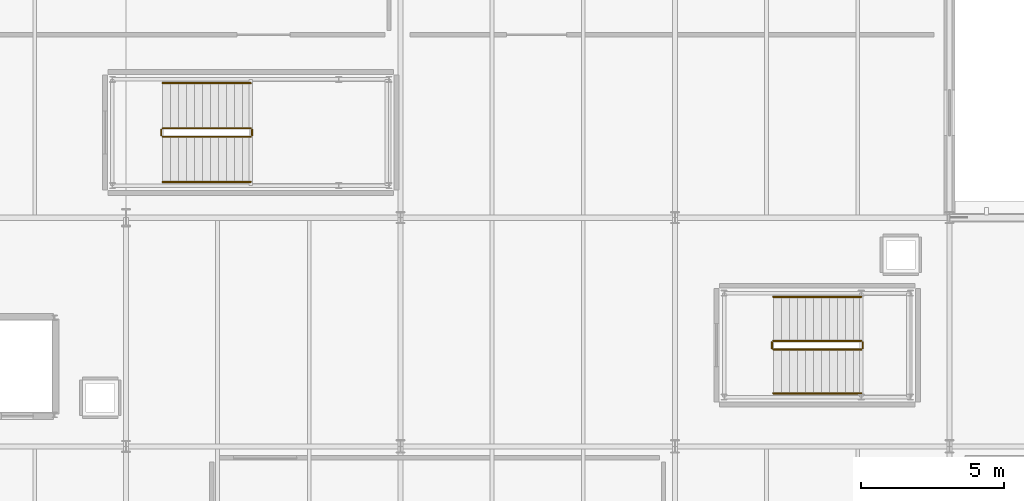
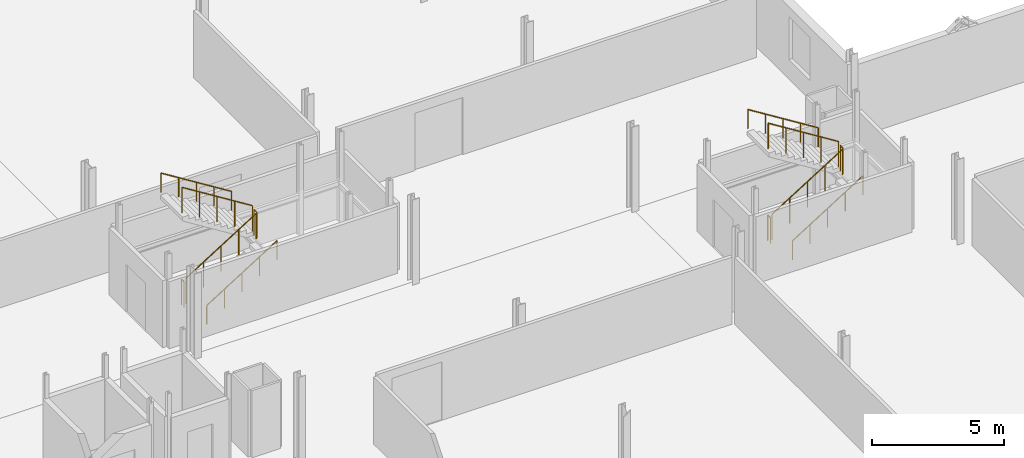
# One storey, part 82 of 85: 12 railings.
"""IFC4 building model written with IfcOpenShell, lengths in metres."""

from ifc_helpers import new_model, si_unit, direction, frame, origin, origin_2d, place, context, subcontext, project, spatial, circle, extrude, material, type_object, element, save


model = new_model("IFC4")

# Units and contexts
model_context = context("Model", 3, precision=1e-05, world=origin(), true_north=direction((0.0, 1.0)))
body_context = subcontext(model_context, "Body", "Model", "MODEL_VIEW")
ifc_project = project(units=[si_unit("LENGTHUNIT", "METRE"), si_unit("AREAUNIT", "SQUARE_METRE"), si_unit("VOLUMEUNIT", "CUBIC_METRE"), si_unit("PLANEANGLEUNIT", "RADIAN"), si_unit("MASSUNIT", "GRAM", prefix="KILO")], contexts=[model_context])

# Site, building, storey
site_placement = place(None, origin())
site = spatial("IfcSite", under=ifc_project, at=site_placement, CompositionType="ELEMENT")
building_placement = place(site_placement, origin())
building = spatial("IfcBuilding", under=site, at=building_placement, Name="Alderhovde Museum", CompositionType="ELEMENT")
storey_placement = place(building_placement, frame((0.0, 0.0, 8.699951171875)))
storey = spatial("IfcBuildingStorey", under=building, at=storey_placement, Name="L02", CompositionType="ELEMENT", Elevation=8.699951171875)

# Railings
ifc_material_1 = material(Name="Painted Steel S355 Guardrail", Category="steel")
railing_type_1 = type_object("IfcRailingType", Name="RL-GUARD-1200", PredefinedType="GUARDRAIL", material=ifc_material_1)
railing_1_placement = place(storey_placement, frame((30.080078125, 82.830078125, 0.175048828125)))
element("IfcRailing", 1, at=railing_1_placement, inside=storey, type_object=railing_type_1, Name="L02 ST2 stair guard 1", PredefinedType="GUARDRAIL", context=body_context, shape_type="SweptSolid", body=[
    extrude(circle(Radius=0.02392578125, at=origin_2d()), frame((0.0, 0.0, 1.17578125), z_axis=(0.847979421464, 0.0, 0.530029150871), x_axis=(0.0, 1.0, 0.0)), (0.0, 0.0, 1.0), 3.632080078125),
    extrude(circle(Radius=0.02099609375, at=origin_2d()), origin(), (0.0, 0.0, 1.0), 1.15185546875),
    extrude(circle(Radius=0.02099609375, at=origin_2d()), frame((0.77001953125, 0.0, 0.481201171875)), (0.0, 0.0, 1.0), 1.15185546875),
    extrude(circle(Radius=0.02099609375, at=origin_2d()), frame((1.5400390625, 0.0, 0.96240234375)), (0.0, 0.0, 1.0), 1.15185546875),
    extrude(circle(Radius=0.02099609375, at=origin_2d()), frame((2.309814453125, 0.0, 1.44384765625)), (0.0, 0.0, 1.0), 1.15185546875),
    extrude(circle(Radius=0.02099609375, at=origin_2d()), frame((3.079833984375, 0.0, 1.925048828125)), (0.0, 0.0, 1.0), 1.15185546875),
])
railing_2_placement = place(storey_placement, frame((33.2099609375, 82.8798828125, 2.10009765625)))
element("IfcRailing", 2, at=railing_2_placement, inside=storey, type_object=railing_type_1, Name="L02 ST2 stair guard 2", PredefinedType="GUARDRAIL", context=body_context, shape_type="SweptSolid", body=[
    extrude(circle(Radius=0.02392578125, at=origin_2d()), frame((0.0, 0.0, 1.17578125), z_axis=(0.0, 1.0, 0.0), x_axis=(-1.0, 0.0, 0.0)), (0.0, 0.0, 1.0), 0.2001953125),
    extrude(circle(Radius=0.02099609375, at=origin_2d()), origin(), (0.0, 0.0, 1.0), 1.15185546875),
    extrude(circle(Radius=0.02099609375, at=origin_2d()), frame((0.0, 0.2001953125, 0.0)), (0.0, 0.0, 1.0), 1.15185546875),
])
railing_3_placement = place(storey_placement, frame((33.159912109375, 83.1298828125, 2.275146484375)))
element("IfcRailing", 3, at=railing_3_placement, inside=storey, type_object=railing_type_1, Name="L02 ST2 stair guard 3", PredefinedType="GUARDRAIL", context=body_context, shape_type="SweptSolid", body=[
    extrude(circle(Radius=0.02392578125, at=origin_2d()), frame((0.0, 0.0, 1.17578125), z_axis=(-0.848009633417, 0.0, 0.529980812513), x_axis=(0.0, -1.0, 0.0)), (0.0, 0.0, 1.0), 3.6318359375),
    extrude(circle(Radius=0.02099609375, at=origin_2d()), origin(), (0.0, 0.0, 1.0), 1.15185546875),
    extrude(circle(Radius=0.02099609375, at=origin_2d()), frame((-0.77001953125, 0.0, 0.481201171875)), (0.0, 0.0, 1.0), 1.15185546875),
    extrude(circle(Radius=0.02099609375, at=origin_2d()), frame((-1.5400390625, 0.0, 0.96240234375)), (0.0, 0.0, 1.0), 1.15185546875),
    extrude(circle(Radius=0.02099609375, at=origin_2d()), frame((-2.309814453125, 0.0, 1.443603515625)), (0.0, 0.0, 1.0), 1.15185546875),
    extrude(circle(Radius=0.02099609375, at=origin_2d()), frame((-3.079833984375, 0.0, 1.9248046875)), (0.0, 0.0, 1.0), 1.15185546875),
])
railing_4_placement = place(storey_placement, frame((30.030029296875, 82.8798828125, 0.0)))
element("IfcRailing", 4, at=railing_4_placement, inside=storey, type_object=railing_type_1, Name="L02 ST2 stair guard 4", PredefinedType="GUARDRAIL", context=body_context, shape_type="SweptSolid", body=[
    extrude(circle(Radius=0.02392578125, at=origin_2d()), frame((0.0, 0.0, 1.17578125), z_axis=(0.0, 1.0, 0.0), x_axis=(-1.0, 0.0, 0.0)), (0.0, 0.0, 1.0), 0.2001953125),
    extrude(circle(Radius=0.02099609375, at=origin_2d()), origin(), (0.0, 0.0, 1.0), 1.15185546875),
    extrude(circle(Radius=0.02099609375, at=origin_2d()), frame((0.0, 0.2001953125, 0.0)), (0.0, 0.0, 1.0), 1.15185546875),
])
railing_5_placement = place(storey_placement, frame((51.43994140625, 75.389892578125, 0.175048828125)))
element("IfcRailing", 5, at=railing_5_placement, inside=storey, type_object=railing_type_1, Name="L02 ST6 stair guard 1", PredefinedType="GUARDRAIL", context=body_context, shape_type="SweptSolid", body=[
    extrude(circle(Radius=0.02392578125, at=origin_2d()), frame((0.0, 0.0, 1.17578125), z_axis=(0.847998304005, 0.0, 0.529998940003), x_axis=(0.0, 1.0, 0.0)), (0.0, 0.0, 1.0), 3.632080078125),
    extrude(circle(Radius=0.02099609375, at=origin_2d()), origin(), (0.0, 0.0, 1.0), 1.15185546875),
    extrude(circle(Radius=0.02099609375, at=origin_2d()), frame((0.77001953125, 0.0, 0.481201171875)), (0.0, 0.0, 1.0), 1.15185546875),
    extrude(circle(Radius=0.02099609375, at=origin_2d()), frame((1.5400390625, 0.0, 0.96240234375)), (0.0, 0.0, 1.0), 1.15185546875),
    extrude(circle(Radius=0.02099609375, at=origin_2d()), frame((2.31005859375, 0.0, 1.44384765625)), (0.0, 0.0, 1.0), 1.15185546875),
    extrude(circle(Radius=0.02099609375, at=origin_2d()), frame((3.080078125, 0.0, 1.925048828125)), (0.0, 0.0, 1.0), 1.15185546875),
])
railing_6_placement = place(storey_placement, frame((54.570068359375, 75.43994140625, 2.10009765625)))
element("IfcRailing", 6, at=railing_6_placement, inside=storey, type_object=railing_type_1, Name="L02 ST6 stair guard 2", PredefinedType="GUARDRAIL", context=body_context, shape_type="SweptSolid", body=[
    extrude(circle(Radius=0.02392578125, at=origin_2d()), frame((0.0, 0.0, 1.17578125), z_axis=(0.0, 1.0, 0.0), x_axis=(-1.0, 0.0, 0.0)), (0.0, 0.0, 1.0), 0.199951171875),
    extrude(circle(Radius=0.02099609375, at=origin_2d()), origin(), (0.0, 0.0, 1.0), 1.15185546875),
    extrude(circle(Radius=0.02099609375, at=origin_2d()), frame((0.0, 0.199951171875, 0.0)), (0.0, 0.0, 1.0), 1.15185546875),
])
railing_7_placement = place(storey_placement, frame((54.52001953125, 75.68994140625, 2.275146484375)))
element("IfcRailing", 7, at=railing_7_placement, inside=storey, type_object=railing_type_1, Name="L02 ST6 stair guard 3", PredefinedType="GUARDRAIL", context=body_context, shape_type="SweptSolid", body=[
    extrude(circle(Radius=0.02392578125, at=origin_2d()), frame((0.0, 0.0, 1.17578125), z_axis=(-0.848028513186, 0.0, 0.529950602248), x_axis=(0.0, -1.0, 0.0)), (0.0, 0.0, 1.0), 3.632080078125),
    extrude(circle(Radius=0.02099609375, at=origin_2d()), origin(), (0.0, 0.0, 1.0), 1.15185546875),
    extrude(circle(Radius=0.02099609375, at=origin_2d()), frame((-0.77001953125, 0.0, 0.481201171875)), (0.0, 0.0, 1.0), 1.15185546875),
    extrude(circle(Radius=0.02099609375, at=origin_2d()), frame((-1.5400390625, 0.0, 0.96240234375)), (0.0, 0.0, 1.0), 1.15185546875),
    extrude(circle(Radius=0.02099609375, at=origin_2d()), frame((-2.31005859375, 0.0, 1.443603515625)), (0.0, 0.0, 1.0), 1.15185546875),
    extrude(circle(Radius=0.02099609375, at=origin_2d()), frame((-3.080078125, 0.0, 1.9248046875)), (0.0, 0.0, 1.0), 1.15185546875),
])
railing_8_placement = place(storey_placement, frame((51.389892578125, 75.43994140625, 0.0)))
element("IfcRailing", 8, at=railing_8_placement, inside=storey, type_object=railing_type_1, Name="L02 ST6 stair guard 4", PredefinedType="GUARDRAIL", context=body_context, shape_type="SweptSolid", body=[
    extrude(circle(Radius=0.02392578125, at=origin_2d()), frame((0.0, 0.0, 1.17578125), z_axis=(0.0, 1.0, 0.0), x_axis=(-1.0, 0.0, 0.0)), (0.0, 0.0, 1.0), 0.199951171875),
    extrude(circle(Radius=0.02099609375, at=origin_2d()), origin(), (0.0, 0.0, 1.0), 1.15185546875),
    extrude(circle(Radius=0.02099609375, at=origin_2d()), frame((0.0, 0.199951171875, 0.0)), (0.0, 0.0, 1.0), 1.15185546875),
])
ifc_material_2 = material(Name="Brushed Stainless Steel Handrail", Category="steel")
railing_type_2 = type_object("IfcRailingType", Name="RL-HANDRAIL-900", PredefinedType="HANDRAIL", material=ifc_material_2)
railing_9_placement = place(storey_placement, frame((30.080078125, 81.25, 0.175048828125)))
element("IfcRailing", 9, at=railing_9_placement, inside=storey, type_object=railing_type_2, Name="L02 ST2 stair handrail 1", PredefinedType="HANDRAIL", context=body_context, shape_type="SweptSolid", body=[
    extrude(circle(Radius=0.02392578125, at=origin_2d()), frame((0.0, 0.0, 0.8759765625), z_axis=(0.847979421464, 0.0, 0.530029150871), x_axis=(0.0, 1.0, 0.0)), (0.0, 0.0, 1.0), 3.632080078125),
    extrude(circle(Radius=0.02099609375, at=origin_2d()), origin(), (0.0, 0.0, 1.0), 0.851806640625),
    extrude(circle(Radius=0.02099609375, at=origin_2d()), frame((0.77001953125, 0.0, 0.481201171875)), (0.0, 0.0, 1.0), 0.851806640625),
    extrude(circle(Radius=0.02099609375, at=origin_2d()), frame((1.5400390625, 0.0, 0.96240234375)), (0.0, 0.0, 1.0), 0.851806640625),
    extrude(circle(Radius=0.02099609375, at=origin_2d()), frame((2.309814453125, 0.0, 1.44384765625)), (0.0, 0.0, 1.0), 0.851806640625),
    extrude(circle(Radius=0.02099609375, at=origin_2d()), frame((3.079833984375, 0.0, 1.925048828125)), (0.0, 0.0, 1.0), 0.851806640625),
])
railing_10_placement = place(storey_placement, frame((33.159912109375, 84.7099609375, 2.275146484375)))
element("IfcRailing", 10, at=railing_10_placement, inside=storey, type_object=railing_type_2, Name="L02 ST2 stair handrail 2", PredefinedType="HANDRAIL", context=body_context, shape_type="SweptSolid", body=[
    extrude(circle(Radius=0.02392578125, at=origin_2d()), frame((0.0, 0.0, 0.8759765625), z_axis=(-0.848009633417, 0.0, 0.529980812513), x_axis=(0.0, -1.0, 0.0)), (0.0, 0.0, 1.0), 3.6318359375),
    extrude(circle(Radius=0.02099609375, at=origin_2d()), origin(), (0.0, 0.0, 1.0), 0.851806640625),
    extrude(circle(Radius=0.02099609375, at=origin_2d()), frame((-0.77001953125, 0.0, 0.481201171875)), (0.0, 0.0, 1.0), 0.851806640625),
    extrude(circle(Radius=0.02099609375, at=origin_2d()), frame((-1.5400390625, 0.0, 0.96240234375)), (0.0, 0.0, 1.0), 0.851806640625),
    extrude(circle(Radius=0.02099609375, at=origin_2d()), frame((-2.309814453125, 0.0, 1.443603515625)), (0.0, 0.0, 1.0), 0.851806640625),
    extrude(circle(Radius=0.02099609375, at=origin_2d()), frame((-3.079833984375, 0.0, 1.9248046875)), (0.0, 0.0, 1.0), 0.851806640625),
])
railing_11_placement = place(storey_placement, frame((51.43994140625, 73.85009765625, 0.175048828125)))
element("IfcRailing", 11, at=railing_11_placement, inside=storey, type_object=railing_type_2, Name="L02 ST6 stair handrail 1", PredefinedType="HANDRAIL", context=body_context, shape_type="SweptSolid", body=[
    extrude(circle(Radius=0.02392578125, at=origin_2d()), frame((0.0, 0.0, 0.8759765625), z_axis=(0.847998304005, 0.0, 0.529998940003), x_axis=(0.0, 1.0, 0.0)), (0.0, 0.0, 1.0), 3.632080078125),
    extrude(circle(Radius=0.02099609375, at=origin_2d()), origin(), (0.0, 0.0, 1.0), 0.851806640625),
    extrude(circle(Radius=0.02099609375, at=origin_2d()), frame((0.77001953125, 0.0, 0.481201171875)), (0.0, 0.0, 1.0), 0.851806640625),
    extrude(circle(Radius=0.02099609375, at=origin_2d()), frame((1.5400390625, 0.0, 0.96240234375)), (0.0, 0.0, 1.0), 0.851806640625),
    extrude(circle(Radius=0.02099609375, at=origin_2d()), frame((2.31005859375, 0.0, 1.44384765625)), (0.0, 0.0, 1.0), 0.851806640625),
    extrude(circle(Radius=0.02099609375, at=origin_2d()), frame((3.080078125, 0.0, 1.925048828125)), (0.0, 0.0, 1.0), 0.851806640625),
])
railing_12_placement = place(storey_placement, frame((54.52001953125, 77.22998046875, 2.275146484375)))
element("IfcRailing", 12, at=railing_12_placement, inside=storey, type_object=railing_type_2, Name="L02 ST6 stair handrail 2", PredefinedType="HANDRAIL", context=body_context, shape_type="SweptSolid", body=[
    extrude(circle(Radius=0.02392578125, at=origin_2d()), frame((0.0, 0.0, 0.8759765625), z_axis=(-0.848028513186, 0.0, 0.529950602248), x_axis=(0.0, -1.0, 0.0)), (0.0, 0.0, 1.0), 3.632080078125),
    extrude(circle(Radius=0.02099609375, at=origin_2d()), origin(), (0.0, 0.0, 1.0), 0.851806640625),
    extrude(circle(Radius=0.02099609375, at=origin_2d()), frame((-0.77001953125, 0.0, 0.481201171875)), (0.0, 0.0, 1.0), 0.851806640625),
    extrude(circle(Radius=0.02099609375, at=origin_2d()), frame((-1.5400390625, 0.0, 0.96240234375)), (0.0, 0.0, 1.0), 0.851806640625),
    extrude(circle(Radius=0.02099609375, at=origin_2d()), frame((-2.31005859375, 0.0, 1.443603515625)), (0.0, 0.0, 1.0), 0.851806640625),
    extrude(circle(Radius=0.02099609375, at=origin_2d()), frame((-3.080078125, 0.0, 1.9248046875)), (0.0, 0.0, 1.0), 0.851806640625),
])

save(model, "model.ifc")
